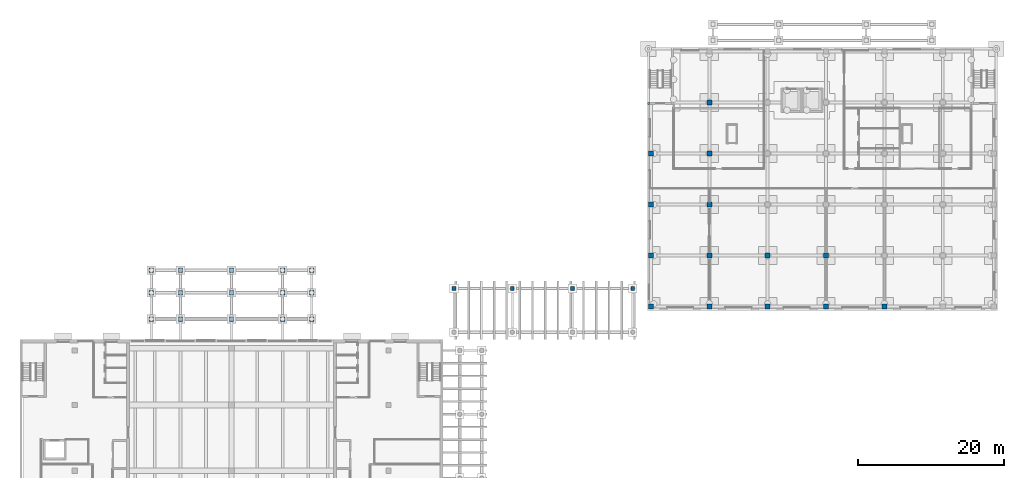
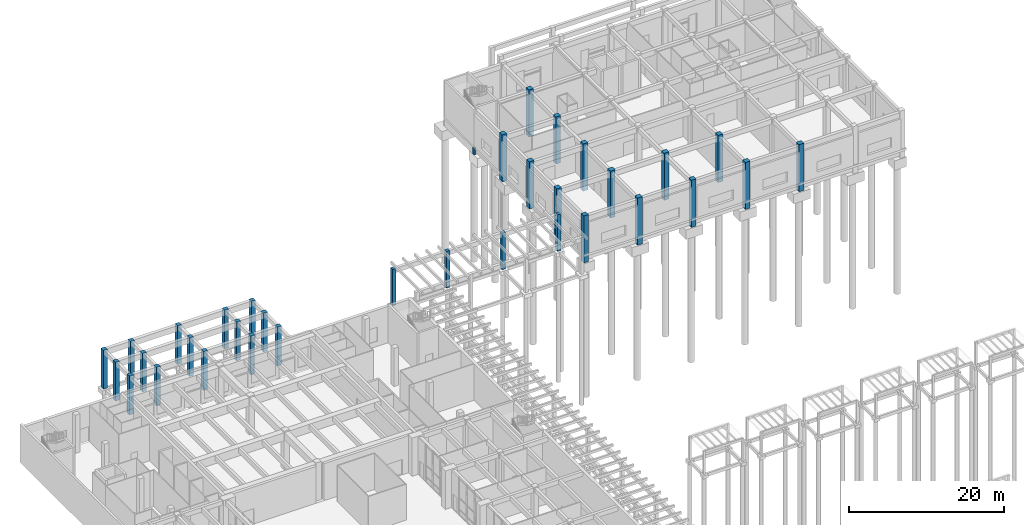
# One storey, part 9 of 51: 34 columns.
"""IFC4 building model written with IfcOpenShell, lengths in metres."""

import ifcopenshell
import ifcopenshell.guid

model = None  # the IFC model being written
_history = None  # IfcOwnerHistory: only IFC2X3 demands one
_inside = {}  # id of a spatial element -> (the spatial element, [elements in it])
_under = {}  # id of a project, library or spatial element -> (it, [spatial elements below it])
_declared = {}  # id of a project -> (the project, [libraries it declares])
_typed = {}  # id of a type object -> (the type object, [elements of that type])
_made_of = {}  # id of a material, layer set ... -> (it, [elements and type objects made of it])


def new_model(schema):
    """Start an empty IFC model of exactly this schema.

    Asked for "IFC4X3", IfcOpenShell would pick the latest addendum, in which some entities
    have other attributes; the version numbers below select the first issue.
    IFC2X3 requires an IfcOwnerHistory on every rooted entity: one is made here for all.
    """
    global model, _history
    if schema == "IFC4X3":
        model = ifcopenshell.file(schema_version=(4, 3, 0, 0))
    else:
        model = ifcopenshell.file(schema=schema)
    _inside.clear()
    _under.clear()
    _declared.clear()
    _typed.clear()
    _made_of.clear()
    _history = None
    if model.schema == "IFC2X3":
        org = make("IfcOrganization", Name="unknown")
        user = make(
            "IfcPersonAndOrganization",
            ThePerson=make("IfcPerson", FamilyName="unknown"),
            TheOrganization=org,
        )
        app = make(
            "IfcApplication",
            ApplicationDeveloper=org,
            Version="unknown",
            ApplicationFullName="unknown",
            ApplicationIdentifier="unknown",
        )
        _history = make(
            "IfcOwnerHistory",
            OwningUser=user,
            OwningApplication=app,
            ChangeAction="ADDED",
            CreationDate=0,
        )
    return model


def make(cls, **values):
    """One entity of the class cls with the attributes given. An attribute that is None is left unset."""
    return model.create_entity(
        cls, **{name: value for name, value in values.items() if value is not None}
    )


def rooted(cls, **values):
    """An entity with a GlobalId (a new one), such as an element, a storey or a relation."""
    return make(cls, GlobalId=ifcopenshell.guid.new(), OwnerHistory=_history, **values)


def si_unit(unit_type, name, prefix=None):
    """IfcSIUnit, for example si_unit("LENGTHUNIT", "METRE", prefix="MILLI")."""
    return make("IfcSIUnit", UnitType=unit_type, Prefix=prefix, Name=name)


def assignment(units):
    """IfcUnitAssignment: the units of a project."""
    return None if units is None else make("IfcUnitAssignment", Units=units)


def point(xyz):
    """IfcCartesianPoint."""
    return None if xyz is None else make("IfcCartesianPoint", Coordinates=xyz)


def direction(xyz):
    """IfcDirection."""
    return None if xyz is None else make("IfcDirection", DirectionRatios=xyz)


def frame(location, z_axis=None, x_axis=None):
    """IfcAxis2Placement3D, a coordinate frame: its origin and axes. An axis left out is left unset."""
    return make(
        "IfcAxis2Placement3D",
        Location=point(location),
        Axis=direction(z_axis),
        RefDirection=direction(x_axis),
    )


def frame_2d(location, x_axis=None):
    """IfcAxis2Placement2D, a coordinate frame in the plane: its origin and x axis."""
    return make(
        "IfcAxis2Placement2D", Location=point(location), RefDirection=direction(x_axis)
    )


def origin():
    """The frame at (0, 0, 0) with its axes left unset."""
    return frame((0.0, 0.0, 0.0))


def origin_2d():
    """The frame at (0, 0) in the plane with its x axis left unset."""
    return frame_2d((0.0, 0.0))


def place(relative_to, where):
    """IfcLocalPlacement: puts the frame where relative to a parent placement (None: the world)."""
    return make(
        "IfcLocalPlacement", PlacementRelTo=relative_to, RelativePlacement=where
    )


def context(
    kind, dimensions, precision=None, world=None, true_north=None, identifier=None
):
    """IfcGeometricRepresentationContext, for example the 3D "Model" context."""
    return make(
        "IfcGeometricRepresentationContext",
        ContextIdentifier=identifier,
        ContextType=kind,
        CoordinateSpaceDimension=dimensions,
        Precision=precision,
        WorldCoordinateSystem=world,
        TrueNorth=true_north,
    )


def subcontext(parent, identifier, kind, view, scale=None):
    """IfcGeometricRepresentationSubContext, for example "Body" below "Model"."""
    return make(
        "IfcGeometricRepresentationSubContext",
        ContextIdentifier=identifier,
        ContextType=kind,
        ParentContext=parent,
        TargetScale=scale,
        TargetView=view,
    )


def project(units=None, contexts=None):
    """IfcProject with its units and contexts."""
    return rooted(
        "IfcProject",
        Name="project",
        RepresentationContexts=contexts,
        UnitsInContext=assignment(units),
    )


def spatial(cls, under=None, at=None, **own):
    """A site, building, storey or space (cls), placed at a placement, below another one or the project."""
    s = rooted(cls, ObjectPlacement=at, **own)
    if under is not None:
        _under.setdefault(under.id(), (under, []))[1].append(s)
    return s


def profile(cls, at=None, kind="AREA", **sizes):
    """A parametric profile (cls). Its sizes go by their IFC names, for example OverallWidth=200.0."""
    return make(cls, ProfileType=kind, Position=at, **sizes)


def rectangle(**sizes):
    """IfcRectangleProfileDef."""
    return profile("IfcRectangleProfileDef", **sizes)


def extrude(swept, where, along, depth):
    """IfcExtrudedAreaSolid: the profile swept, set in the frame where, extruded along a direction by depth."""
    return make(
        "IfcExtrudedAreaSolid",
        SweptArea=swept,
        Position=where,
        ExtrudedDirection=direction(along),
        Depth=depth,
    )


def shape(context_of_items, identifier, shape_type, items):
    """IfcShapeRepresentation: the items that make up one representation, for example the "Body"."""
    return make(
        "IfcShapeRepresentation",
        ContextOfItems=context_of_items,
        RepresentationIdentifier=identifier,
        RepresentationType=shape_type,
        Items=items,
    )


def material(Name=None, Category=None):
    """IfcMaterial."""
    return make("IfcMaterial", Name=Name, Category=Category)


def material_profile(
    of_material, cross_section, Name=None, Category=None, Priority=None
):
    """IfcMaterialProfile: a cross section and its material."""
    return make(
        "IfcMaterialProfile",
        Name=Name,
        Material=of_material,
        Profile=cross_section,
        Priority=Priority,
        Category=Category,
    )


def profile_set(profiles, Name=None, composite=None):
    """IfcMaterialProfileSet."""
    return make(
        "IfcMaterialProfileSet",
        Name=Name,
        MaterialProfiles=profiles,
        CompositeProfile=composite,
    )


def made_of(thing, what):
    """Note that an element or type object is made of a material, layer set ...; save() writes the relation."""
    if what is not None:
        _made_of.setdefault(what.id(), (what, []))[1].append(thing)
    return thing


def type_object(cls, material=None, **own):
    """A type object (cls), such as IfcWallType, which elements share."""
    return made_of(rooted(cls, **own), material)


def element(
    cls,
    number,
    at=None,
    inside=None,
    cuts=None,
    type_object=None,
    material=None,
    context=None,
    identifier="Body",
    shape_type=None,
    held_by="IfcProductDefinitionShape",
    body=None,
    shapes=None,
    **own,
):
    """One element of the class cls, such as IfcWall. Its Tag is "e" and its number.

    at: its placement. inside: the storey or other place that contains it. cuts: it is an
    opening in that element (IfcRelVoidsElement). A single representation is given by context,
    identifier, shape_type and body (its items); several are given by shapes. held_by: the class
    of the entity that holds the representations. save() writes the other relations.
    """
    e = rooted(cls, Tag="e%d" % number, ObjectPlacement=at, **own)
    if body is not None:
        shapes = [shape(context, identifier, shape_type, body)]
    if shapes is not None:
        e.Representation = make(held_by, Representations=shapes)
    if inside is not None:
        _inside.setdefault(inside.id(), (inside, []))[1].append(e)
    if cuts is not None:
        rooted(
            "IfcRelVoidsElement", RelatingBuildingElement=cuts, RelatedOpeningElement=e
        )
    if type_object is not None:
        _typed.setdefault(type_object.id(), (type_object, []))[1].append(e)
    return made_of(e, material)


def aggregate(whole, parts):
    """IfcRelAggregates: a whole, such as a stair, and the parts it consists of."""
    return rooted("IfcRelAggregates", RelatingObject=whole, RelatedObjects=parts)


def save(model, path):
    """Write the relations noted so far, then the file.

    IfcRelAggregates (storeys below a building ...), IfcRelContainedInSpatialStructure (elements
    in a storey), IfcRelDefinesByType, IfcRelAssociatesMaterial and IfcRelDeclares: one each for
    every whole, place, type object, material and project.
    """
    for whole, parts in _under.values():
        aggregate(whole, parts)
    for where, things in _inside.values():
        rooted(
            "IfcRelContainedInSpatialStructure",
            RelatedElements=things,
            RelatingStructure=where,
        )
    for kind, things in _typed.values():
        rooted("IfcRelDefinesByType", RelatedObjects=things, RelatingType=kind)
    for what, things in _made_of.values():
        rooted("IfcRelAssociatesMaterial", RelatedObjects=things, RelatingMaterial=what)
    for by, libraries in _declared.values():
        rooted("IfcRelDeclares", RelatingContext=by, RelatedDefinitions=libraries)
    model.write(path)


model = new_model("IFC4")

# Units and contexts
model_context = context("Model", 3, precision=1e-05, world=origin(), true_north=direction((0.0, 1.0)))
body_context = subcontext(model_context, "Body", "Model", "MODEL_VIEW")
ifc_project = project(units=[si_unit("LENGTHUNIT", "METRE"), si_unit("AREAUNIT", "SQUARE_METRE"), si_unit("VOLUMEUNIT", "CUBIC_METRE"), si_unit("PLANEANGLEUNIT", "RADIAN"), si_unit("MASSUNIT", "GRAM", prefix="KILO")], contexts=[model_context])

# Site, building, storey
site_placement = place(None, origin())
site = spatial("IfcSite", under=ifc_project, at=site_placement, CompositionType="ELEMENT")
building_placement = place(site_placement, origin())
building = spatial("IfcBuilding", under=site, at=building_placement, Name="Elmora Arch Market Hall", CompositionType="ELEMENT")
storey_placement = place(building_placement, origin())
storey = spatial("IfcBuildingStorey", under=building, at=storey_placement, Name="L00", CompositionType="ELEMENT", Elevation=0.0)

# Columns
ifc_material_1 = material(Name="Concrete C40/50", Category="concrete")
ifc_material_profile_1 = material_profile(ifc_material_1, rectangle(XDim=0.60009765625, YDim=0.60009765625, at=origin_2d()), Name="Canopy column 600x600")
ifc_profile_set_1 = profile_set([ifc_material_profile_1], Name="Concrete C40/50")
column_type_1 = type_object("IfcColumnType", Name="Canopy column 600x600", PredefinedType="COLUMN", material=ifc_profile_set_1)
for number, where, z_axis, x_axis, name in (
    (1, (18.0, 128.800048828125, -0.300048828125), (0.0, 0.0, 1.0), (1.0, 0.0, 0.0), "Canopy column CAN-GATE-01 L00"),
    (2, (22.0, 128.800048828125, -0.300048828125), (0.0, 0.0, 1.0), (1.0, 0.0, 0.0), "Canopy column CAN-GATE-02 L00"),
    (3, (29.0, 128.800048828125, -0.300048828125), (0.0, 0.0, 1.0), (1.0, 0.0, 0.0), "Canopy column CAN-GATE-03 L00"),
    (4, (36.0, 128.800048828125, -0.300048828125), (0.0, 0.0, 1.0), (1.0, 0.0, 0.0), "Canopy column CAN-GATE-04 L00"),
    (5, (40.0, 128.800048828125, -0.300048828125), (0.0, 0.0, 1.0), (1.0, 0.0, 0.0), "Canopy column CAN-GATE-05 L00"),
    (6, (18.0, 132.39990234375, -0.300048828125), (0.0, 0.0, 1.0), (1.0, 0.0, 0.0), "Canopy column CAN-GATE-06 L00"),
    (7, (22.0, 132.39990234375, -0.300048828125), (0.0, 0.0, 1.0), (1.0, 0.0, 0.0), "Canopy column CAN-GATE-07 L00"),
    (8, (29.0, 132.39990234375, -0.300048828125), (0.0, 0.0, 1.0), (1.0, 0.0, 0.0), "Canopy column CAN-GATE-08 L00"),
    (9, (36.0, 132.39990234375, -0.300048828125), (0.0, 0.0, 1.0), (1.0, 0.0, 0.0), "Canopy column CAN-GATE-09 L00"),
    (10, (40.0, 132.39990234375, -0.300048828125), (0.0, 0.0, 1.0), (1.0, 0.0, 0.0), "Canopy column CAN-GATE-10 L00"),
    (11, (18.0, 135.5, -0.300048828125), (0.0, 0.0, 1.0), (1.0, 0.0, 0.0), "Canopy column CAN-GATE-11 L00"),
    (12, (22.0, 135.5, -0.300048828125), (0.0, 0.0, 1.0), (1.0, 0.0, 0.0), "Canopy column CAN-GATE-12 L00"),
    (13, (29.0, 135.5, -0.300048828125), (0.0, 0.0, 1.0), (1.0, 0.0, 0.0), "Canopy column CAN-GATE-13 L00"),
    (14, (36.0, 135.5, -0.300048828125), (0.0, 0.0, 1.0), (1.0, 0.0, 0.0), "Canopy column CAN-GATE-14 L00"),
    (15, (40.0, 135.5, -0.300048828125), (0.0, 0.0, 1.0), (1.0, 0.0, 0.0), "Canopy column CAN-GATE-15 L00"),
):
    element("IfcColumn", number, at=place(storey_placement, frame(where, z_axis=z_axis, x_axis=x_axis)), inside=storey, type_object=column_type_1, Name=name, PredefinedType="COLUMN", context=body_context, shape_type="SweptSolid", body=[
        extrude(rectangle(XDim=0.60009765625, YDim=0.60009765625, at=origin_2d()), origin(), (0.0, 0.0, 1.0), 6.10009765625),
    ])
ifc_material_2 = material(Name="Concrete C40/50", Category="concrete")
ifc_material_profile_2 = material_profile(ifc_material_2, rectangle(XDim=0.5, YDim=0.5, at=origin_2d()), Name="Passage column 500x500")
ifc_profile_set_2 = profile_set([ifc_material_profile_2], Name="Concrete C40/50")
column_type_2 = type_object("IfcColumnType", Name="Passage column 500x500", PredefinedType="COLUMN", material=ifc_profile_set_2)
for number, where, z_axis, x_axis, name in (
    (16, (59.5, 133.0, -0.300048828125), (0.0, 0.0, 1.0), (1.0, 0.0, 0.0), "Passage column PASS-N-05 L00"),
    (17, (67.5, 133.0, -0.300048828125), (0.0, 0.0, 1.0), (1.0, 0.0, 0.0), "Passage column PASS-N-06 L00"),
    (18, (75.75, 133.0, -0.300048828125), (0.0, 0.0, 1.0), (1.0, 0.0, 0.0), "Passage column PASS-N-07 L00"),
    (19, (84.0, 133.0, -0.300048828125), (0.0, 0.0, 1.0), (1.0, 0.0, 0.0), "Passage column PASS-N-08 L00"),
):
    element("IfcColumn", number, at=place(storey_placement, frame(where, z_axis=z_axis, x_axis=x_axis)), inside=storey, type_object=column_type_2, Name=name, PredefinedType="COLUMN", context=body_context, shape_type="SweptSolid", body=[
        extrude(rectangle(XDim=0.5, YDim=0.5, at=origin_2d()), origin(), (0.0, 0.0, 1.0), 5.75),
    ])
ifc_material_3 = material(Name="Concrete C40/50", Category="concrete")
ifc_material_profile_3 = material_profile(ifc_material_3, rectangle(XDim=0.699951171875, YDim=0.699951171875, at=origin_2d()), Name="School column 700x700")
ifc_profile_set_3 = profile_set([ifc_material_profile_3], Name="Concrete C40/50")
column_type_3 = type_object("IfcColumnType", Name="School column 700x700", PredefinedType="COLUMN", material=ifc_profile_set_3)
for number, where, z_axis, x_axis, name in (
    (20, (86.5, 130.5, -1.39990234375), (0.0, 0.0, 1.0), (1.0, 0.0, 0.0), "School column SC11 L00"),
    (21, (86.5, 137.5, -1.39990234375), (0.0, 0.0, 1.0), (1.0, 0.0, 0.0), "School column SC12 L00"),
    (22, (86.5, 144.5, -1.39990234375), (0.0, 0.0, 1.0), (1.0, 0.0, 0.0), "School column SC13 L00"),
    (23, (86.5, 151.5, -1.39990234375), (0.0, 0.0, 1.0), (1.0, 0.0, 0.0), "School column SC14 L00"),
    (24, (94.5, 130.5, -1.39990234375), (0.0, 0.0, 1.0), (1.0, 0.0, 0.0), "School column SC21 L00"),
    (25, (94.5, 137.5, -1.39990234375), (0.0, 0.0, 1.0), (1.0, 0.0, 0.0), "School column SC22 L00"),
    (26, (94.5, 144.5, -1.39990234375), (0.0, 0.0, 1.0), (1.0, 0.0, 0.0), "School column SC23 L00"),
    (27, (94.5, 151.5, -1.39990234375), (0.0, 0.0, 1.0), (1.0, 0.0, 0.0), "School column SC24 L00"),
    (28, (94.5, 158.5, -1.39990234375), (0.0, 0.0, 1.0), (1.0, 0.0, 0.0), "School column SC25 L00"),
    (29, (102.5, 130.5, -1.39990234375), (0.0, 0.0, 1.0), (1.0, 0.0, 0.0), "School column SC31 L00"),
    (30, (102.5, 137.5, -1.39990234375), (0.0, 0.0, 1.0), (1.0, 0.0, 0.0), "School column SC32 L00"),
    (31, (110.5, 130.5, -1.39990234375), (0.0, 0.0, 1.0), (1.0, 0.0, 0.0), "School column SC41 L00"),
    (32, (110.5, 137.5, -1.39990234375), (0.0, 0.0, 1.0), (1.0, 0.0, 0.0), "School column SC42 L00"),
    (33, (118.5, 130.5, -1.39990234375), (0.0, 0.0, 1.0), (1.0, 0.0, 0.0), "School column SC51 L00"),
):
    element("IfcColumn", number, at=place(storey_placement, frame(where, z_axis=z_axis, x_axis=x_axis)), inside=storey, type_object=column_type_3, Name=name, PredefinedType="COLUMN", context=body_context, shape_type="SweptSolid", body=[
        extrude(rectangle(XDim=0.699951171875, YDim=0.699951171875, at=origin_2d()), origin(), (0.0, 0.0, 1.0), 7.39990234375),
    ])
ifc_material_4 = material(Name="Concrete C40/50", Category="concrete")
ifc_material_profile_4 = material_profile(ifc_material_4, rectangle(XDim=0.300048828125, YDim=0.300048828125, at=origin_2d()), Name="Stair corner column 300x300")
ifc_profile_set_4 = profile_set([ifc_material_profile_4], Name="Concrete C40/50")
column_type_4 = type_object("IfcColumnType", Name="Stair corner column 300x300", PredefinedType="COLUMN", material=ifc_profile_set_4)
column_placement = place(storey_placement, frame((86.14990234375, 158.35009765625, -1.39990234375), z_axis=(0.0, 0.0, 1.0), x_axis=(1.0, 0.0, 0.0)))
element("IfcColumn", 34, at=column_placement, inside=storey, type_object=column_type_4, Name="Stair corner column SCK-SCW-1 L00", PredefinedType="COLUMN", context=body_context, shape_type="SweptSolid", body=[
    extrude(rectangle(XDim=0.300048828125, YDim=0.300048828125, at=origin_2d()), origin(), (0.0, 0.0, 1.0), 1.099853515625),
])

save(model, "model.ifc")
